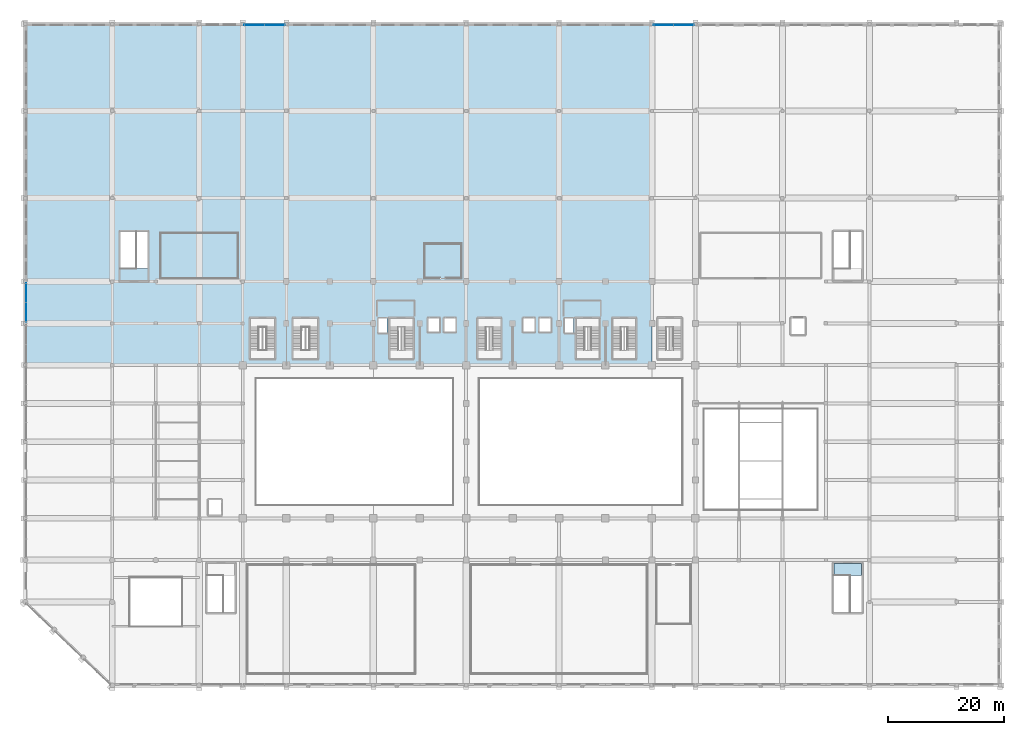
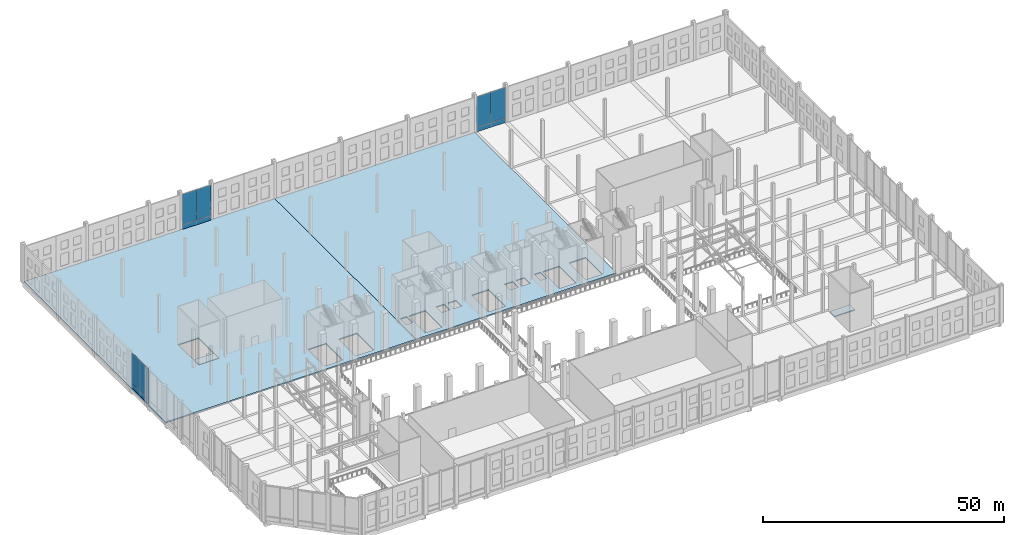
# One storey, part 56 of 80: 9 plates, 4 slabs, 3 elements without a shape of their own.
"""IFC4 building model written with IfcOpenShell, lengths in metres."""

from ifc_helpers import new_model, si_unit, direction, frame, origin, origin_2d, place, context, subcontext, project, spatial, polyline, rectangle, outline, extrude, material, layer, layer_set, type_object, element, aggregate, save


model = new_model("IFC4")

# Units and contexts
model_context = context("Model", 3, precision=1e-05, world=origin(), true_north=direction((0.0, 1.0)))
body_context = subcontext(model_context, "Body", "Model", "MODEL_VIEW")
ifc_project = project(units=[si_unit("LENGTHUNIT", "METRE"), si_unit("AREAUNIT", "SQUARE_METRE"), si_unit("VOLUMEUNIT", "CUBIC_METRE"), si_unit("PLANEANGLEUNIT", "RADIAN"), si_unit("MASSUNIT", "GRAM", prefix="KILO")], contexts=[model_context])

# Site, building, storey
site_placement = place(None, origin())
site = spatial("IfcSite", under=ifc_project, at=site_placement, CompositionType="ELEMENT")
building_placement = place(site_placement, origin())
building = spatial("IfcBuilding", under=site, at=building_placement, Name="Akrevak Sports Hall", CompositionType="ELEMENT")
storey_placement = place(building_placement, frame((0.0, 0.0, 14.0)))
storey = spatial("IfcBuildingStorey", under=building, at=storey_placement, Name="L03", CompositionType="ELEMENT", Elevation=14.0)

# Curtain wall, plates
ifc_material_1 = material(Name="Anodized Bronze Aluminium & Low-E Glass", Category="aluminium")
curtain_wall_type = type_object("IfcCurtainWallType", Name="ARC-CW-POD-64x94", PredefinedType="NOTDEFINED", material=ifc_material_1)
curtain_wall_1_placement = place(storey_placement, origin())
curtain_wall_1 = element("IfcCurtainWall", 1, at=curtain_wall_1_placement, inside=storey, type_object=curtain_wall_type, Name="Curtain Wall CW-L03-N06", PredefinedType="NOTDEFINED")
ifc_material_2 = material(Name="Double Low-E Tempered Glass", Category="glass")
ifc_layer_1 = layer(ifc_material_2, 0.035888671875, Name="Double Low-E Tempered Glass")
ifc_layer_set_1 = layer_set([ifc_layer_1], Name="Double Low-E Tempered Glass")
plate_type_1 = type_object("IfcPlateType", Name="ARC-CWP-GLZ-36", PredefinedType="CURTAIN_PANEL", material=ifc_layer_set_1)
plate_1_placement = place(storey_placement, frame((42.987548828125, 113.830078125, 1.14990234375), z_axis=(0.0, 0.0, 1.0), x_axis=(-1.0, 0.0, 0.0)))
plate_1 = element("IfcPlate", 2, at=plate_1_placement, type_object=plate_type_1, Name="Vision Glass Panel CW-L03-N06-G1", PredefinedType="CURTAIN_PANEL", context=body_context, shape_type="SweptSolid", body=[
    extrude(rectangle(XDim=3.47509765625, YDim=0.035888671875, at=origin_2d()), origin(), (0.0, 0.0, 1.0), 7.77001953125),
])
plate_2_placement = place(storey_placement, frame((39.512451171875, 113.830078125, 1.14990234375), z_axis=(0.0, 0.0, 1.0), x_axis=(-1.0, 0.0, 0.0)))
plate_2 = element("IfcPlate", 3, at=plate_2_placement, type_object=plate_type_1, Name="Vision Glass Panel CW-L03-N06-G2", PredefinedType="CURTAIN_PANEL", context=body_context, shape_type="SweptSolid", body=[
    extrude(rectangle(XDim=3.47509765625, YDim=0.035888671875, at=origin_2d()), origin(), (0.0, 0.0, 1.0), 7.77001953125),
])

curtain_wall_2_placement = place(storey_placement, origin())
curtain_wall_2 = element("IfcCurtainWall", 4, at=curtain_wall_2_placement, inside=storey, type_object=curtain_wall_type, Name="Curtain Wall CW-L03-N15", PredefinedType="NOTDEFINED")
plate_3_placement = place(storey_placement, frame((113.49365234375, 113.830078125, 1.14990234375), z_axis=(0.0, 0.0, 1.0), x_axis=(-1.0, 0.0, 0.0)))
plate_3 = element("IfcPlate", 5, at=plate_3_placement, type_object=plate_type_1, Name="Vision Glass Panel CW-L03-N15-G1", PredefinedType="CURTAIN_PANEL", context=body_context, shape_type="SweptSolid", body=[
    extrude(rectangle(XDim=3.46240234375, YDim=0.035888671875, at=origin_2d()), origin(), (0.0, 0.0, 1.0), 7.77001953125),
])
plate_4_placement = place(storey_placement, frame((110.03125, 113.830078125, 1.14990234375), z_axis=(0.0, 0.0, 1.0), x_axis=(-1.0, 0.0, 0.0)))
plate_4 = element("IfcPlate", 6, at=plate_4_placement, type_object=plate_type_1, Name="Vision Glass Panel CW-L03-N15-G2", PredefinedType="CURTAIN_PANEL", context=body_context, shape_type="SweptSolid", body=[
    extrude(rectangle(XDim=3.46240234375, YDim=0.035888671875, at=origin_2d()), origin(), (0.0, 0.0, 1.0), 7.77001953125),
])

curtain_wall_3_placement = place(storey_placement, origin())
curtain_wall_3 = element("IfcCurtainWall", 7, at=curtain_wall_3_placement, inside=storey, type_object=curtain_wall_type, Name="Curtain Wall CW-L03-W08", PredefinedType="NOTDEFINED")
plate_5_placement = place(storey_placement, frame((0.169921875, 67.668701171875, 1.14990234375), z_axis=(0.0, 0.0, 1.0), x_axis=(0.0, -1.0, 0.0)))
plate_5 = element("IfcPlate", 8, at=plate_5_placement, type_object=plate_type_1, Name="Vision Glass Panel CW-L03-W08-G1", PredefinedType="CURTAIN_PANEL", context=body_context, shape_type="SweptSolid", body=[
    extrude(rectangle(XDim=3.3125, YDim=0.035888671875, at=origin_2d()), origin(), (0.0, 0.0, 1.0), 7.77001953125),
])
plate_6_placement = place(storey_placement, frame((0.169921875, 64.356201171875, 1.14990234375), z_axis=(0.0, 0.0, 1.0), x_axis=(0.0, -1.0, 0.0)))
plate_6 = element("IfcPlate", 9, at=plate_6_placement, type_object=plate_type_1, Name="Vision Glass Panel CW-L03-W08-G2", PredefinedType="CURTAIN_PANEL", context=body_context, shape_type="SweptSolid", body=[
    extrude(rectangle(XDim=3.3125, YDim=0.035888671875, at=origin_2d()), origin(), (0.0, 0.0, 1.0), 7.77001953125),
])

# Plate
ifc_material_3 = material(Name="Insulated Bronze Spandrel Panel", Category="aluminium")
ifc_layer_2 = layer(ifc_material_3, 0.0439453125, Name="Insulated Bronze Spandrel Panel")
ifc_layer_set_2 = layer_set([ifc_layer_2], Name="Insulated Bronze Spandrel Panel")
plate_type_2 = type_object("IfcPlateType", Name="ARC-CWP-SPD-44", PredefinedType="CURTAIN_PANEL", material=ifc_layer_set_2)
plate_7_placement = place(storey_placement, frame((41.25, 113.830078125, 0.0), z_axis=(0.0, 0.0, 1.0), x_axis=(-1.0, 0.0, 0.0)))
plate_7 = element("IfcPlate", 10, at=plate_7_placement, type_object=plate_type_2, Name="Insulated Spandrel Panel CW-L03-N06-S1", PredefinedType="CURTAIN_PANEL", context=body_context, shape_type="SweptSolid", body=[
    extrude(rectangle(XDim=6.949951171875, YDim=0.0439453125, at=origin_2d()), origin(), (0.0, 0.0, 1.0), 1.14990234375),
])

aggregate(curtain_wall_1, [plate_1, plate_2, plate_7])

plate_8_placement = place(storey_placement, frame((111.762451171875, 113.830078125, 0.0), z_axis=(0.0, 0.0, 1.0), x_axis=(-1.0, 0.0, 0.0)))
plate_8 = element("IfcPlate", 11, at=plate_8_placement, type_object=plate_type_2, Name="Insulated Spandrel Panel CW-L03-N15-S1", PredefinedType="CURTAIN_PANEL", context=body_context, shape_type="SweptSolid", body=[
    extrude(rectangle(XDim=6.925048828125, YDim=0.0439453125, at=origin_2d()), origin(), (0.0, 0.0, 1.0), 1.14990234375),
])

aggregate(curtain_wall_2, [plate_3, plate_4, plate_8])

plate_9_placement = place(storey_placement, frame((0.169921875, 66.012451171875, 0.0), z_axis=(0.0, 0.0, 1.0), x_axis=(0.0, -1.0, 0.0)))
plate_9 = element("IfcPlate", 12, at=plate_9_placement, type_object=plate_type_2, Name="Insulated Spandrel Panel CW-L03-W08-S1", PredefinedType="CURTAIN_PANEL", context=body_context, shape_type="SweptSolid", body=[
    extrude(rectangle(XDim=6.625, YDim=0.0439453125, at=origin_2d()), origin(), (0.0, 0.0, 1.0), 1.14990234375),
])

aggregate(curtain_wall_3, [plate_5, plate_6, plate_9])

# Slabs
ifc_material_4 = material(Name="Concrete C40/50", Category="concrete")
ifc_layer_3 = layer(ifc_material_4, 0.280029296875, Name="Concrete C40/50")
ifc_layer_set_3 = layer_set([ifc_layer_3], Name="Concrete C40/50")
slab_type_1 = type_object("IfcSlabType", Name="STR-SLB-FLR-280", PredefinedType="FLOOR", material=ifc_layer_set_3)
slab_1_placement = place(storey_placement, frame((0.0, 0.0, -0.280029296875)))
element("IfcSlab", 13, at=slab_1_placement, inside=storey, type_object=slab_type_1, Name="Structural Floor Slab L03-2.1", PredefinedType="FLOOR", context=body_context, shape_type="SweptSolid", body=[
    extrude(outline(polyline([(0.0, 55.199951171875), (60.0, 55.199951171875), (60.0, 114.0), (0.0, 114.0), (0.0, 55.199951171875)]), holes=[polyline([(43.050048828125, 56.300048828125), (38.75, 56.300048828125), (38.75, 63.25), (43.050048828125, 63.25), (43.050048828125, 56.300048828125)]), polyline([(50.449951171875, 63.25), (50.449951171875, 56.300048828125), (46.14990234375, 56.300048828125), (46.14990234375, 63.25), (50.449951171875, 63.25)]), polyline([(21.14990234375, 78.199951171875), (21.14990234375, 69.75), (16.35009765625, 69.75), (16.35009765625, 78.199951171875), (21.14990234375, 78.199951171875)])]), origin(), (0.0, 0.0, 1.0), 0.280029296875),
])
slab_2_placement = place(storey_placement, frame((0.0, 0.0, -0.280029296875)))
element("IfcSlab", 14, at=slab_2_placement, inside=storey, type_object=slab_type_1, Name="Structural Floor Slab L03-4.1", PredefinedType="FLOOR", context=body_context, shape_type="SweptSolid", body=[
    extrude(outline(polyline([(60.0, 114.0), (60.0, 55.199951171875), (108.0, 55.199951171875), (108.0, 114.0), (60.0, 114.0)]), holes=[polyline([(66.85009765625, 56.300048828125), (62.85009765625, 56.300048828125), (62.85009765625, 63.25), (66.85009765625, 63.25), (66.85009765625, 56.300048828125)]), polyline([(82.0, 56.300048828125), (78.0, 56.300048828125), (78.0, 63.25), (82.0, 63.25), (82.0, 56.300048828125)]), polyline([(62.3798828125, 63.280029296875), (62.3798828125, 60.77001953125), (60.8701171875, 60.77001953125), (60.8701171875, 63.280029296875), (62.3798828125, 63.280029296875)]), polyline([(71.3798828125, 60.919921875), (69.419921875, 60.919921875), (69.419921875, 63.280029296875), (71.3798828125, 63.280029296875), (71.3798828125, 60.919921875)]), polyline([(74.179931640625, 60.919921875), (72.219970703125, 60.919921875), (72.219970703125, 63.280029296875), (74.179931640625, 63.280029296875), (74.179931640625, 60.919921875)]), polyline([(98.949951171875, 56.300048828125), (94.949951171875, 56.300048828125), (94.949951171875, 63.25), (98.949951171875, 63.25), (98.949951171875, 56.300048828125)]), polyline([(105.25, 56.300048828125), (101.25, 56.300048828125), (101.25, 63.25), (105.25, 63.25), (105.25, 56.300048828125)]), polyline([(94.47998046875, 60.77001953125), (92.969970703125, 60.77001953125), (92.969970703125, 63.280029296875), (94.47998046875, 63.280029296875), (94.47998046875, 60.77001953125)]), polyline([(87.780029296875, 63.280029296875), (87.780029296875, 60.919921875), (85.820068359375, 60.919921875), (85.820068359375, 63.280029296875), (87.780029296875, 63.280029296875)]), polyline([(90.580078125, 60.919921875), (88.6201171875, 60.919921875), (88.6201171875, 63.280029296875), (90.580078125, 63.280029296875), (90.580078125, 60.919921875)])]), origin(), (0.0, 0.0, 1.0), 0.280029296875),
])
ifc_layer_4 = layer(ifc_material_4, 0.219970703125, Name="Concrete C40/50")
ifc_layer_set_4 = layer_set([ifc_layer_4], Name="Concrete C40/50")
slab_type_2 = type_object("IfcSlabType", Name="STR-SLB-LAND-220", PredefinedType="LANDING", material=ifc_layer_set_4)
slab_3_placement = place(storey_placement, frame((0.0, 0.0, -0.219970703125)))
element("IfcSlab", 15, at=slab_3_placement, inside=storey, type_object=slab_type_2, Name="Stair ST6 Floor Landing (L03)", PredefinedType="LANDING", context=body_context, shape_type="SweptSolid", body=[
    extrude(outline(polyline([(16.35009765625, 69.75), (21.14990234375, 69.75), (21.14990234375, 71.85009765625), (16.35009765625, 71.85009765625), (16.35009765625, 69.75)])), origin(), (0.0, 0.0, 1.0), 0.219970703125),
])
slab_4_placement = place(storey_placement, frame((0.0, 0.0, -0.219970703125)))
element("IfcSlab", 16, at=slab_4_placement, inside=storey, type_object=slab_type_2, Name="Stair ST7 Floor Landing (L03)", PredefinedType="LANDING", context=body_context, shape_type="SweptSolid", body=[
    extrude(outline(polyline([(139.35009765625, 18.949951171875), (144.14990234375, 18.949951171875), (144.14990234375, 21.050048828125), (139.35009765625, 21.050048828125), (139.35009765625, 18.949951171875)])), origin(), (0.0, 0.0, 1.0), 0.219970703125),
])

save(model, "model.ifc")
